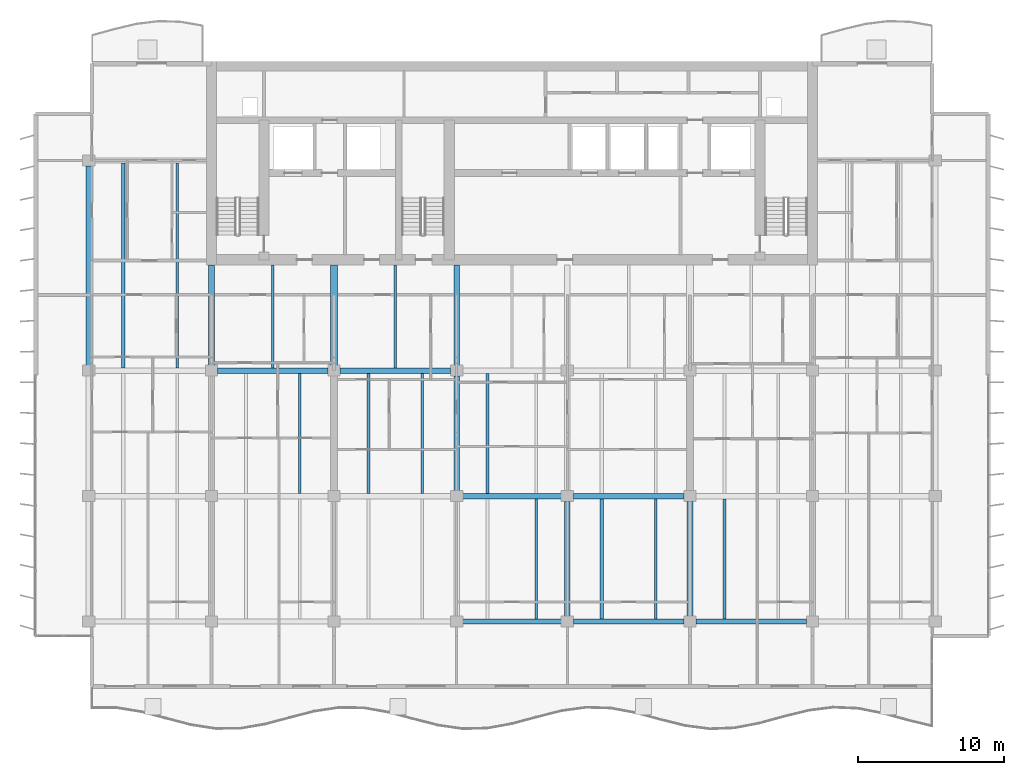
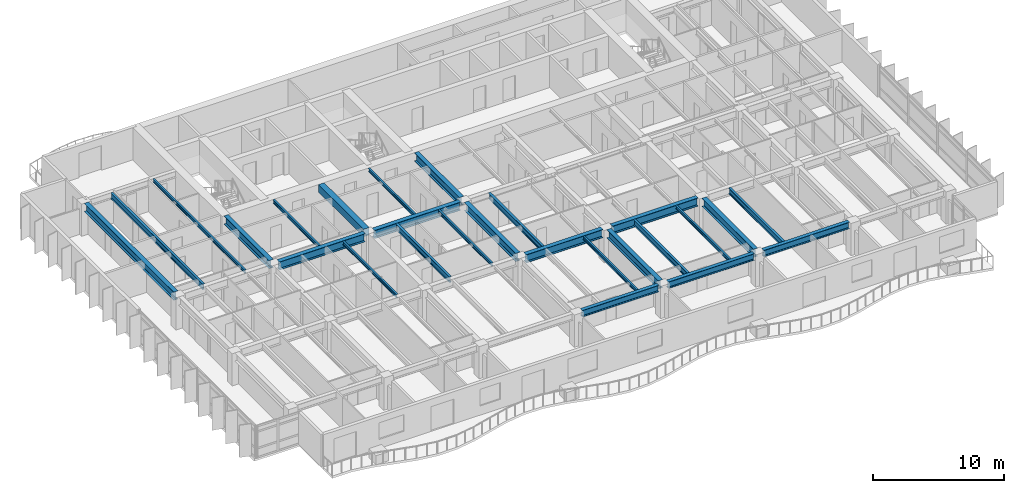
# One storey, part 3 of 18: 26 beams.
"""IFC4 building model written with IfcOpenShell, lengths in metres."""

from ifc_helpers import new_model, si_unit, direction, frame, origin, origin_2d, place, context, subcontext, project, spatial, rectangle, i_section, extrude, material, material_profile, profile_set, type_object, element, save


model = new_model("IFC4")

# Units and contexts
model_context = context("Model", 3, precision=1e-05, world=origin(), true_north=direction((0.0, 1.0)))
body_context = subcontext(model_context, "Body", "Model", "MODEL_VIEW")
ifc_project = project(units=[si_unit("LENGTHUNIT", "METRE"), si_unit("AREAUNIT", "SQUARE_METRE"), si_unit("VOLUMEUNIT", "CUBIC_METRE"), si_unit("PLANEANGLEUNIT", "RADIAN"), si_unit("MASSUNIT", "GRAM", prefix="KILO")], contexts=[model_context])

# Site, building, storey
site_placement = place(None, origin())
site = spatial("IfcSite", under=ifc_project, at=site_placement, CompositionType="ELEMENT")
building_placement = place(site_placement, origin())
building = spatial("IfcBuilding", under=site, at=building_placement, Name="Caelmar Bay Residences", CompositionType="ELEMENT")
storey_placement = place(building_placement, frame((0.0, 0.0, 180.300048828125)))
storey = spatial("IfcBuildingStorey", under=building, at=storey_placement, Name="L50", CompositionType="ELEMENT", Elevation=180.300048828125)

# Beams
ifc_material_1 = material(Name="Steel ASTM A992 Grade 50", Category="steel")
ifc_material_profile_1 = material_profile(ifc_material_1, i_section(OverallWidth=0.381103515625, OverallDepth=0.77197265625, WebThickness=0.0166015625, FlangeThickness=0.027099609375, FilletRadius=0.0166015625, at=origin_2d()), Name="W30X173")
ifc_profile_set_1 = profile_set([ifc_material_profile_1], Name="Steel ASTM A992 Grade 50")
beam_type_1 = type_object("IfcBeamType", Name="BM-GRD-W30X173", PredefinedType="BEAM", material=ifc_profile_set_1)
beam_1_placement = place(storey_placement, frame((35.514892578125, 20.800048828125, 2.614013671875), z_axis=(1.0, 0.0, 0.0), x_axis=(0.0, 1.0, 0.0)))
element("IfcBeam", 1, at=beam_1_placement, inside=storey, type_object=beam_type_1, Name="L50 East-West Girder Y=20.80 (35.1-42.7)", PredefinedType="BEAM", context=body_context, shape_type="SweptSolid", body=[
    extrude(i_section(OverallWidth=0.381103515625, OverallDepth=0.77197265625, WebThickness=0.0166015625, FlangeThickness=0.027099609375, FilletRadius=0.0166015625, at=origin_2d()), origin(), (0.0, 0.0, 1.0), 6.77001953125),
])
beam_2_placement = place(storey_placement, frame((43.114990234375, 20.800048828125, 2.614013671875), z_axis=(1.0, 0.0, 0.0), x_axis=(0.0, 1.0, 0.0)))
element("IfcBeam", 2, at=beam_2_placement, inside=storey, type_object=beam_type_1, Name="L50 East-West Girder Y=20.80 (42.7-51.1)", PredefinedType="BEAM", context=body_context, shape_type="SweptSolid", body=[
    extrude(i_section(OverallWidth=0.381103515625, OverallDepth=0.77197265625, WebThickness=0.0166015625, FlangeThickness=0.027099609375, FilletRadius=0.0166015625, at=origin_2d()), origin(), (0.0, 0.0, 1.0), 7.570068359375),
])
beam_3_placement = place(storey_placement, frame((18.715087890625, 29.39990234375, 2.614013671875), z_axis=(1.0, 0.0, 0.0), x_axis=(0.0, 1.0, 0.0)))
element("IfcBeam", 3, at=beam_3_placement, inside=storey, type_object=beam_type_1, Name="L50 East-West Girder Y=29.40 (18.3-26.7)", PredefinedType="BEAM", context=body_context, shape_type="SweptSolid", body=[
    extrude(i_section(OverallWidth=0.381103515625, OverallDepth=0.77197265625, WebThickness=0.0166015625, FlangeThickness=0.027099609375, FilletRadius=0.0166015625, at=origin_2d()), origin(), (0.0, 0.0, 1.0), 7.56982421875),
])
beam_4_placement = place(storey_placement, frame((27.114990234375, 29.39990234375, 2.614013671875), z_axis=(1.0, 0.0, 0.0), x_axis=(0.0, 1.0, 0.0)))
element("IfcBeam", 4, at=beam_4_placement, inside=storey, type_object=beam_type_1, Name="L50 East-West Girder Y=29.40 (26.7-35.1)", PredefinedType="BEAM", context=body_context, shape_type="SweptSolid", body=[
    extrude(i_section(OverallWidth=0.381103515625, OverallDepth=0.77197265625, WebThickness=0.0166015625, FlangeThickness=0.027099609375, FilletRadius=0.0166015625, at=origin_2d()), origin(), (0.0, 0.0, 1.0), 7.570068359375),
])
beam_5_placement = place(storey_placement, frame((9.89990234375, 29.764892578125, 2.614013671875), z_axis=(0.0, 1.0, 0.0), x_axis=(-1.0, 0.0, 0.0)))
element("IfcBeam", 5, at=beam_5_placement, inside=storey, type_object=beam_type_1, Name="L50 North-South Girder X=9.90 (29.4-43.8)", PredefinedType="BEAM", context=body_context, shape_type="SweptSolid", body=[
    extrude(i_section(OverallWidth=0.381103515625, OverallDepth=0.77197265625, WebThickness=0.0166015625, FlangeThickness=0.027099609375, FilletRadius=0.0166015625, at=origin_2d()), origin(), (0.0, 0.0, 1.0), 13.670166015625),
])
for number, where, z_axis, x_axis, name in (
    (6, (18.300048828125, 29.764892578125, 2.614013671875), (0.0, 1.0, 0.0), (-1.0, 0.0, 0.0), "L50 Core Tie Girder X=18.30"),
    (7, (35.10009765625, 29.764892578125, 2.614013671875), (0.0, 1.0, 0.0), (-1.0, 0.0, 0.0), "L50 Core Tie Girder X=35.10"),
):
    element("IfcBeam", number, at=place(storey_placement, frame(where, z_axis=z_axis, x_axis=x_axis)), inside=storey, type_object=beam_type_1, Name=name, PredefinedType="BEAM", context=body_context, shape_type="SweptSolid", body=[
        extrude(i_section(OverallWidth=0.381103515625, OverallDepth=0.77197265625, WebThickness=0.0166015625, FlangeThickness=0.027099609375, FilletRadius=0.0166015625, at=origin_2d()), origin(), (0.0, 0.0, 1.0), 6.885009765625),
    ])
beam_6_placement = place(storey_placement, frame((35.10009765625, 21.1650390625, 2.614013671875), z_axis=(0.0, 1.0, 0.0), x_axis=(-1.0, 0.0, 0.0)))
element("IfcBeam", 8, at=beam_6_placement, inside=storey, type_object=beam_type_1, Name="L50 North-South Girder X=35.10 (20.8-29.4)", PredefinedType="BEAM", context=body_context, shape_type="SweptSolid", body=[
    extrude(i_section(OverallWidth=0.381103515625, OverallDepth=0.77197265625, WebThickness=0.0166015625, FlangeThickness=0.027099609375, FilletRadius=0.0166015625, at=origin_2d()), origin(), (0.0, 0.0, 1.0), 7.869873046875),
])
for number, where, z_axis, x_axis, name in (
    (9, (42.699951171875, 12.56494140625, 2.614013671875), (0.0, 1.0, 0.0), (-1.0, 0.0, 0.0), "L50 North-South Girder X=42.70 (12.2-20.8)"),
    (10, (51.10009765625, 12.56494140625, 2.614013671875), (0.0, 1.0, 0.0), (-1.0, 0.0, 0.0), "L50 North-South Girder X=51.10 (12.2-20.8)"),
):
    element("IfcBeam", number, at=place(storey_placement, frame(where, z_axis=z_axis, x_axis=x_axis)), inside=storey, type_object=beam_type_1, Name=name, PredefinedType="BEAM", context=body_context, shape_type="SweptSolid", body=[
        extrude(i_section(OverallWidth=0.381103515625, OverallDepth=0.77197265625, WebThickness=0.0166015625, FlangeThickness=0.027099609375, FilletRadius=0.0166015625, at=origin_2d()), origin(), (0.0, 0.0, 1.0), 7.8701171875),
    ])
ifc_material_profile_2 = material_profile(ifc_material_1, i_section(OverallWidth=0.1650390625, OverallDepth=0.31005859375, WebThickness=0.005859375, FlangeThickness=0.009765625, FilletRadius=0.007568359375, at=origin_2d()), Name="W12X26")
ifc_profile_set_2 = profile_set([ifc_material_profile_2], Name="Steel ASTM A992 Grade 50")
beam_type_2 = type_object("IfcBeamType", Name="BM-JST-W12X26", PredefinedType="JOIST", material=ifc_profile_set_2)
for number, where, z_axis, x_axis, name in (
    (11, (40.572021484375, 12.362548828125, 2.844970703125), (0.0, 1.0, 0.0), (-1.0, 0.0, 0.0), "L50 Composite Floor Joist 8"),
    (12, (48.748046875, 12.362548828125, 2.844970703125), (0.0, 1.0, 0.0), (-1.0, 0.0, 0.0), "L50 Composite Floor Joist 10"),
):
    element("IfcBeam", number, at=place(storey_placement, frame(where, z_axis=z_axis, x_axis=x_axis)), inside=storey, type_object=beam_type_2, Name=name, PredefinedType="JOIST", context=body_context, shape_type="SweptSolid", body=[
        extrude(i_section(OverallWidth=0.1650390625, OverallDepth=0.31005859375, WebThickness=0.005859375, FlangeThickness=0.009765625, FilletRadius=0.007568359375, at=origin_2d()), origin(), (0.0, 0.0, 1.0), 8.2470703125),
    ])
for number, where, z_axis, x_axis, name in (
    (13, (24.347900390625, 20.990478515625, 2.844970703125), (0.0, 1.0, 0.0), (-1.0, 0.0, 0.0), "L50 Composite Floor Joist 18"),
    (14, (32.748046875, 20.990478515625, 2.844970703125), (0.0, 1.0, 0.0), (-1.0, 0.0, 0.0), "L50 Composite Floor Joist 20"),
):
    element("IfcBeam", number, at=place(storey_placement, frame(where, z_axis=z_axis, x_axis=x_axis)), inside=storey, type_object=beam_type_2, Name=name, PredefinedType="JOIST", context=body_context, shape_type="SweptSolid", body=[
        extrude(i_section(OverallWidth=0.1650390625, OverallDepth=0.31005859375, WebThickness=0.005859375, FlangeThickness=0.009765625, FilletRadius=0.007568359375, at=origin_2d()), origin(), (0.0, 0.0, 1.0), 8.218994140625),
    ])
for number, where, z_axis, x_axis, name in (
    (15, (22.5, 29.590576171875, 2.844970703125), (0.0, 1.0, 0.0), (-1.0, 0.0, 0.0), "L50 Core-Band Composite Joist 29"),
    (16, (30.89990234375, 29.590576171875, 2.844970703125), (0.0, 1.0, 0.0), (-1.0, 0.0, 0.0), "L50 Core-Band Composite Joist 30"),
):
    element("IfcBeam", number, at=place(storey_placement, frame(where, z_axis=z_axis, x_axis=x_axis)), inside=storey, type_object=beam_type_2, Name=name, PredefinedType="JOIST", context=body_context, shape_type="SweptSolid", body=[
        extrude(i_section(OverallWidth=0.1650390625, OverallDepth=0.31005859375, WebThickness=0.005859375, FlangeThickness=0.009765625, FilletRadius=0.007568359375, at=origin_2d()), origin(), (0.0, 0.0, 1.0), 7.059326171875),
    ])
beam_7_placement = place(storey_placement, frame((15.947998046875, 29.590576171875, 2.844970703125), z_axis=(0.0, 1.0, 0.0), x_axis=(-1.0, 0.0, 0.0)))
element("IfcBeam", 17, at=beam_7_placement, inside=storey, type_object=beam_type_2, Name="L50 Composite Floor Joist 35", PredefinedType="JOIST", context=body_context, shape_type="SweptSolid", body=[
    extrude(i_section(OverallWidth=0.1650390625, OverallDepth=0.31005859375, WebThickness=0.005859375, FlangeThickness=0.009765625, FilletRadius=0.007568359375, at=origin_2d()), origin(), (0.0, 0.0, 1.0), 14.046875),
])
ifc_material_profile_3 = material_profile(ifc_material_1, i_section(OverallWidth=0.2099609375, OverallDepth=0.535888671875, WebThickness=0.010986328125, FlangeThickness=0.017333984375, FilletRadius=0.0126953125, at=origin_2d()), Name="W21X68")
ifc_profile_set_3 = profile_set([ifc_material_profile_3], Name="Steel ASTM A992 Grade 50")
beam_type_3 = type_object("IfcBeamType", Name="BM-JST-W21X68", PredefinedType="JOIST", material=ifc_profile_set_3)
for number, where, z_axis, x_axis, name in (
    (18, (45.052001953125, 12.362548828125, 2.73193359375), (0.0, 1.0, 0.0), (-1.0, 0.0, 0.0), "L50 Composite Floor Joist 9"),
    (19, (53.451904296875, 12.362548828125, 2.73193359375), (0.0, 1.0, 0.0), (-1.0, 0.0, 0.0), "L50 Composite Floor Joist 11"),
):
    element("IfcBeam", number, at=place(storey_placement, frame(where, z_axis=z_axis, x_axis=x_axis)), inside=storey, type_object=beam_type_3, Name=name, PredefinedType="JOIST", context=body_context, shape_type="SweptSolid", body=[
        extrude(i_section(OverallWidth=0.2099609375, OverallDepth=0.535888671875, WebThickness=0.010986328125, FlangeThickness=0.017333984375, FilletRadius=0.0126953125, at=origin_2d()), origin(), (0.0, 0.0, 1.0), 8.2470703125),
    ])
for number, where, z_axis, x_axis, name in (
    (20, (29.052001953125, 20.990478515625, 2.73193359375), (0.0, 1.0, 0.0), (-1.0, 0.0, 0.0), "L50 Composite Floor Joist 19"),
    (21, (37.22802734375, 20.990478515625, 2.73193359375), (0.0, 1.0, 0.0), (-1.0, 0.0, 0.0), "L50 Composite Floor Joist 21"),
):
    element("IfcBeam", number, at=place(storey_placement, frame(where, z_axis=z_axis, x_axis=x_axis)), inside=storey, type_object=beam_type_3, Name=name, PredefinedType="JOIST", context=body_context, shape_type="SweptSolid", body=[
        extrude(i_section(OverallWidth=0.2099609375, OverallDepth=0.535888671875, WebThickness=0.010986328125, FlangeThickness=0.017333984375, FilletRadius=0.0126953125, at=origin_2d()), origin(), (0.0, 0.0, 1.0), 8.218994140625),
    ])
beam_8_placement = place(storey_placement, frame((12.251953125, 29.590576171875, 2.73193359375), z_axis=(0.0, 1.0, 0.0), x_axis=(-1.0, 0.0, 0.0)))
element("IfcBeam", 22, at=beam_8_placement, inside=storey, type_object=beam_type_3, Name="L50 Composite Floor Joist 34", PredefinedType="JOIST", context=body_context, shape_type="SweptSolid", body=[
    extrude(i_section(OverallWidth=0.2099609375, OverallDepth=0.535888671875, WebThickness=0.010986328125, FlangeThickness=0.017333984375, FilletRadius=0.0126953125, at=origin_2d()), origin(), (0.0, 0.0, 1.0), 14.046875),
])
ifc_material_2 = material(Name="Concrete f'c 55 MPa (8,000 psi)", Category="concrete")
ifc_material_profile_4 = material_profile(ifc_material_2, rectangle(XDim=0.5, YDim=0.699951171875, at=origin_2d()), Name="RC-BM-500X700")
ifc_profile_set_4 = profile_set([ifc_material_profile_4], Name="Concrete f'c 55 MPa (8,000 psi)")
beam_type_4 = type_object("IfcBeamType", Name="BM-RC-500X700", PredefinedType="LINTEL", material=ifc_profile_set_4)
beam_9_placement = place(storey_placement, frame((26.699951171875, 29.764892578125, 2.64990234375), z_axis=(0.0, 1.0, 0.0), x_axis=(-1.0, 0.0, 0.0)))
element("IfcBeam", 23, at=beam_9_placement, inside=storey, type_object=beam_type_4, Name="L50 Shear-Wall Corridor Coupling Lintel W5", PredefinedType="LINTEL", context=body_context, shape_type="SweptSolid", body=[
    extrude(rectangle(XDim=0.5, YDim=0.699951171875, at=origin_2d()), origin(), (0.0, 0.0, 1.0), 6.885009765625),
])
ifc_material_profile_5 = material_profile(ifc_material_1, i_section(OverallWidth=0.324951171875, OverallDepth=0.616943359375, WebThickness=0.013916015625, FlangeThickness=0.021484375, FilletRadius=0.0126953125, at=origin_2d()), Name="W24X117")
ifc_profile_set_5 = profile_set([ifc_material_profile_5], Name="Steel ASTM A992 Grade 50")
beam_type_5 = type_object("IfcBeamType", Name="BM-SPN-W24X117", PredefinedType="SPANDREL", material=ifc_profile_set_5)
beam_10_placement = place(storey_placement, frame((35.514892578125, 12.199951171875, 2.69140625), z_axis=(1.0, 0.0, 0.0), x_axis=(0.0, 1.0, 0.0)))
element("IfcBeam", 24, at=beam_10_placement, inside=storey, type_object=beam_type_5, Name="L50 East-West Girder Y=12.20 (35.1-42.7)", PredefinedType="SPANDREL", context=body_context, shape_type="SweptSolid", body=[
    extrude(i_section(OverallWidth=0.324951171875, OverallDepth=0.616943359375, WebThickness=0.013916015625, FlangeThickness=0.021484375, FilletRadius=0.0126953125, at=origin_2d()), origin(), (0.0, 0.0, 1.0), 6.77001953125),
])
for number, where, z_axis, x_axis, name in (
    (25, (43.114990234375, 12.199951171875, 2.69140625), (1.0, 0.0, 0.0), (0.0, 1.0, 0.0), "L50 East-West Girder Y=12.20 (42.7-51.1)"),
    (26, (51.514892578125, 12.199951171875, 2.69140625), (1.0, 0.0, 0.0), (0.0, 1.0, 0.0), "L50 East-West Girder Y=12.20 (51.1-59.5)"),
):
    element("IfcBeam", number, at=place(storey_placement, frame(where, z_axis=z_axis, x_axis=x_axis)), inside=storey, type_object=beam_type_5, Name=name, PredefinedType="SPANDREL", context=body_context, shape_type="SweptSolid", body=[
        extrude(i_section(OverallWidth=0.324951171875, OverallDepth=0.616943359375, WebThickness=0.013916015625, FlangeThickness=0.021484375, FilletRadius=0.0126953125, at=origin_2d()), origin(), (0.0, 0.0, 1.0), 7.570068359375),
    ])

save(model, "model.ifc")
